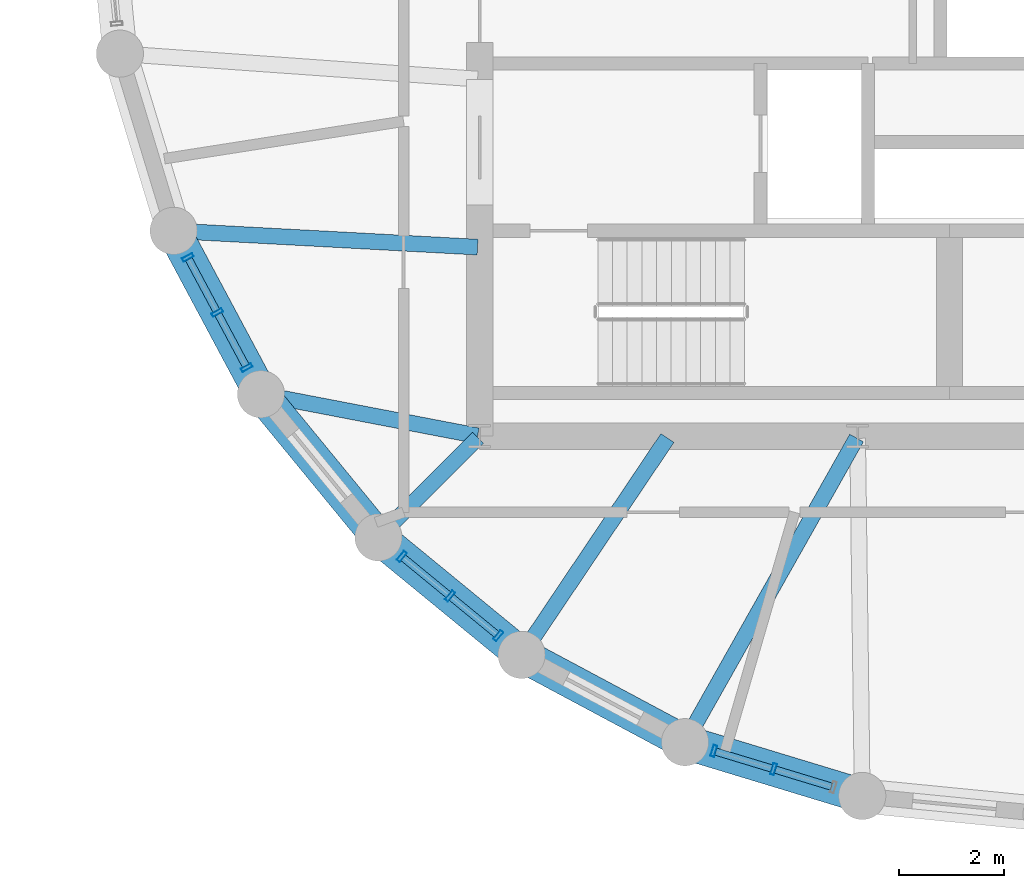
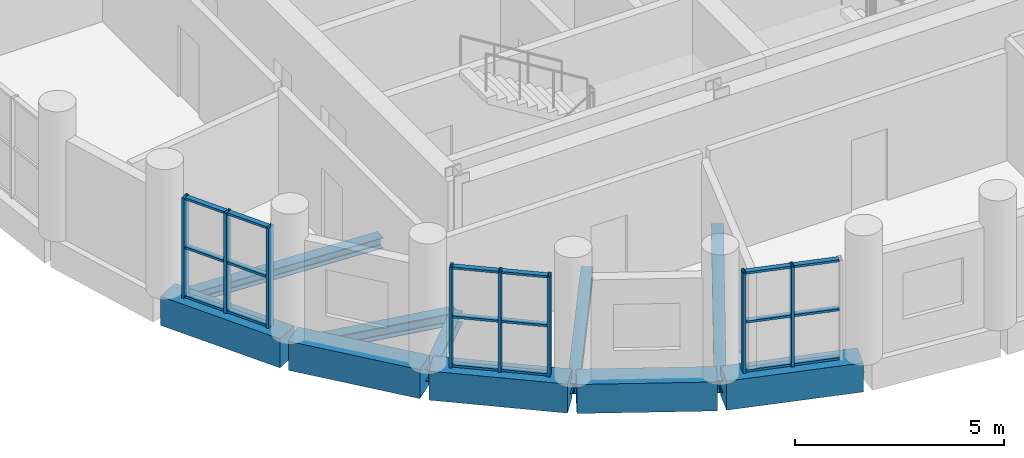
# One storey, part 2 of 15: 26 members, 10 beams, 3 elements without a shape of their own.
"""IFC4 building model written with IfcOpenShell, lengths in metres."""

from ifc_helpers import new_model, si_unit, direction, frame, origin, origin_2d, place, context, subcontext, project, spatial, rectangle, hollow_rectangle, i_section, extrude, material, layer, layer_set, material_profile, profile_set, type_object, element, aggregate, save


model = new_model("IFC4")

# Units and contexts
model_context = context("Model", 3, precision=1e-05, world=origin(), true_north=direction((0.0, 1.0)))
body_context = subcontext(model_context, "Body", "Model", "MODEL_VIEW")
ifc_project = project(units=[si_unit("LENGTHUNIT", "METRE"), si_unit("AREAUNIT", "SQUARE_METRE"), si_unit("VOLUMEUNIT", "CUBIC_METRE"), si_unit("PLANEANGLEUNIT", "RADIAN"), si_unit("MASSUNIT", "GRAM", prefix="KILO")], contexts=[model_context])

# Site, building, storey
site_placement = place(None, origin())
site = spatial("IfcSite", under=ifc_project, at=site_placement, CompositionType="ELEMENT")
building_placement = place(site_placement, origin())
building = spatial("IfcBuilding", under=site, at=building_placement, Name="Solnavia Interchange Tower", CompositionType="ELEMENT")
storey_placement = place(building_placement, frame((0.0, 0.0, 146.60009765625)))
storey = spatial("IfcBuildingStorey", under=building, at=storey_placement, Name="L36", CompositionType="ELEMENT", Elevation=146.60009765625)

# Beams
ifc_material_1 = material(Name="Steel S460", Category="steel")
ifc_material_profile_1 = material_profile(ifc_material_1, i_section(OverallWidth=0.300048828125, OverallDepth=0.360107421875, WebThickness=0.012451171875, FlangeThickness=0.0224609375, FilletRadius=0.027099609375, at=origin_2d()), Name="HEB 360")
ifc_profile_set_1 = profile_set([ifc_material_profile_1], Name="Steel S460")
beam_type_1 = type_object("IfcBeamType", Name="Beam-Girder-HEB360", PredefinedType="BEAM", material=ifc_profile_set_1)
beam_1_placement = place(storey_placement, frame((10.3125, 11.5849609375, -0.43017578125), z_axis=(0.982057527796, -0.188581579428, 0.0), x_axis=(0.188581579428, 0.982057527796, 0.0)))
element("IfcBeam", 1, at=beam_1_placement, inside=storey, type_object=beam_type_1, Name="GRD-L36-DR16 Drum radial floor girder", PredefinedType="BEAM", context=body_context, shape_type="SweptSolid", body=[
    extrude(i_section(OverallWidth=0.300048828125, OverallDepth=0.360107421875, WebThickness=0.012451171875, FlangeThickness=0.0224609375, FilletRadius=0.027099609375, at=origin_2d()), origin(), (0.0, 0.0, 1.0), 4.1220703125),
])
beam_2_placement = place(storey_placement, frame((18.351318359375, 5.039794921875, -0.43017578125), z_axis=(0.491243158486, 0.871022479182, 0.0), x_axis=(-0.871022479182, 0.491243158486, 0.0)))
element("IfcBeam", 2, at=beam_2_placement, inside=storey, type_object=beam_type_1, Name="GRD-L36-DR19 Drum radial floor girder", PredefinedType="BEAM", context=body_context, shape_type="SweptSolid", body=[
    extrude(i_section(OverallWidth=0.300048828125, OverallDepth=0.360107421875, WebThickness=0.012451171875, FlangeThickness=0.0224609375, FilletRadius=0.027099609375, at=origin_2d()), origin(), (0.0, 0.0, 1.0), 6.5732421875),
])
ifc_material_2 = material(Name="Steel S355", Category="steel")
ifc_material_profile_2 = material_profile(ifc_material_2, i_section(OverallWidth=0.300048828125, OverallDepth=0.31005859375, WebThickness=0.009033203125, FlangeThickness=0.015380859375, FilletRadius=0.027099609375, at=origin_2d()), Name="HEA 320")
ifc_profile_set_2 = profile_set([ifc_material_profile_2], Name="Steel S355")
beam_type_2 = type_object("IfcBeamType", Name="Beam-Primary-HEA320", PredefinedType="BEAM", material=ifc_profile_set_2)
beam_3_placement = place(storey_placement, frame((8.64990234375, 14.707763671875, -0.405029296875), z_axis=(0.998570371303, -0.053452909696, 0.0), x_axis=(0.053452909696, 0.998570371303, 0.0)))
element("IfcBeam", 3, at=beam_3_placement, inside=storey, type_object=beam_type_2, Name="GRD-L36-DR15 Drum radial floor girder", PredefinedType="BEAM", context=body_context, shape_type="SweptSolid", body=[
    extrude(i_section(OverallWidth=0.300048828125, OverallDepth=0.31005859375, WebThickness=0.009033203125, FlangeThickness=0.015380859375, FilletRadius=0.027099609375, at=origin_2d()), origin(), (0.0, 0.0, 1.0), 5.71826171875),
])
beam_4_placement = place(storey_placement, frame((15.24462890625, 6.700439453125, -0.405029296875), z_axis=(0.557835474219, 0.829951555033, 0.0), x_axis=(-0.829951555033, 0.557835474219, 0.0)))
element("IfcBeam", 4, at=beam_4_placement, inside=storey, type_object=beam_type_2, Name="GRD-L36-DR18 Drum radial floor girder", PredefinedType="BEAM", context=body_context, shape_type="SweptSolid", body=[
    extrude(i_section(OverallWidth=0.300048828125, OverallDepth=0.31005859375, WebThickness=0.009033203125, FlangeThickness=0.015380859375, FilletRadius=0.027099609375, at=origin_2d()), origin(), (0.0, 0.0, 1.0), 4.899658203125),
])
ifc_material_profile_3 = material_profile(ifc_material_2, i_section(OverallWidth=0.300048828125, OverallDepth=0.35009765625, WebThickness=0.010009765625, FlangeThickness=0.017578125, FilletRadius=0.027099609375, at=origin_2d()), Name="HEA 360")
ifc_profile_set_3 = profile_set([ifc_material_profile_3], Name="Steel S355")
beam_type_3 = type_object("IfcBeamType", Name="Beam-Primary-HEA360", PredefinedType="BEAM", material=ifc_profile_set_3)
beam_5_placement = place(storey_placement, frame((12.528564453125, 8.9287109375, -0.425048828125), z_axis=(0.707106781187, 0.707106781187, 0.0), x_axis=(-0.707106781187, 0.707106781187, 0.0)))
element("IfcBeam", 5, at=beam_5_placement, inside=storey, type_object=beam_type_3, Name="GRD-L36-DR17 Drum radial floor girder", PredefinedType="BEAM", context=body_context, shape_type="SweptSolid", body=[
    extrude(i_section(OverallWidth=0.300048828125, OverallDepth=0.35009765625, WebThickness=0.010009765625, FlangeThickness=0.017578125, FilletRadius=0.027099609375, at=origin_2d()), origin(), (0.0, 0.0, 1.0), 2.6064453125),
])
ifc_material_3 = material(Name="Concrete C50/60", Category="concrete")
ifc_material_profile_4 = material_profile(ifc_material_3, rectangle(XDim=0.64990234375, YDim=0.85009765625, at=origin_2d()), Name="RC 650x850")
ifc_profile_set_4 = profile_set([ifc_material_profile_4], Name="Concrete C50/60")
beam_type_4 = type_object("IfcBeamType", Name="Beam-Spandrel-RC650x850", PredefinedType="SPANDREL", material=ifc_profile_set_4)
beam_6_placement = place(storey_placement, frame((8.607666015625, 14.6416015625, -0.425048828125), z_axis=(0.471509422952, -0.881861023102, 0.0), x_axis=(0.881861023102, 0.471509422952, 0.0)))
element("IfcBeam", 6, at=beam_6_placement, inside=storey, type_object=beam_type_4, Name="SPB-L36-03 Framed-tube perimeter spandrel beam", PredefinedType="SPANDREL", context=body_context, shape_type="SweptSolid", body=[
    extrude(rectangle(XDim=0.64990234375, YDim=0.85009765625, at=origin_2d()), origin(), (0.0, 0.0, 1.0), 3.369140625),
])
for number, where, z_axis, x_axis, name in (
    (7, (10.28466796875, 11.5380859375, -0.425048828125), (0.634298841675, -0.773087950656, 0.0), (0.773087950656, 0.634298841675, 0.0), "SPB-L36-04 Framed-tube perimeter spandrel beam"),
    (8, (12.53369140625, 8.8212890625, -0.425048828125), (0.773152644452, -0.634219984214, 0.0), (0.634219984214, 0.773152644452, 0.0), "SPB-L36-05 Framed-tube perimeter spandrel beam"),
):
    element("IfcBeam", number, at=place(storey_placement, frame(where, z_axis=z_axis, x_axis=x_axis)), inside=storey, type_object=beam_type_4, Name=name, PredefinedType="SPANDREL", context=body_context, shape_type="SweptSolid", body=[
        extrude(rectangle(XDim=0.64990234375, YDim=0.85009765625, at=origin_2d()), origin(), (0.0, 0.0, 1.0), 3.36865234375),
    ])
beam_7_placement = place(storey_placement, frame((15.2705078125, 6.59619140625, -0.425048828125), z_axis=(0.881875044348, -0.47148319817, 0.0), x_axis=(0.47148319817, 0.881875044348, 0.0)))
element("IfcBeam", 9, at=beam_7_placement, inside=storey, type_object=beam_type_4, Name="SPB-L36-06 Framed-tube perimeter spandrel beam", PredefinedType="SPANDREL", context=body_context, shape_type="SweptSolid", body=[
    extrude(rectangle(XDim=0.64990234375, YDim=0.85009765625, at=origin_2d()), origin(), (0.0, 0.0, 1.0), 3.368896484375),
])
beam_8_placement = place(storey_placement, frame((18.388671875, 4.94677734375, -0.425048828125), z_axis=(0.956943884494, -0.290272978297, 0.0), x_axis=(0.290272978297, 0.956943884494, 0.0)))
element("IfcBeam", 10, at=beam_8_placement, inside=storey, type_object=beam_type_4, Name="SPB-L36-07 Framed-tube perimeter spandrel beam", PredefinedType="SPANDREL", context=body_context, shape_type="SweptSolid", body=[
    extrude(rectangle(XDim=0.64990234375, YDim=0.85009765625, at=origin_2d()), origin(), (0.0, 0.0, 1.0), 3.36767578125),
])

# Curtain wall, members
ifc_material_4 = material(Name="Aluminium Alloy 6063-T6", Category="aluminium")
ifc_layer = layer(ifc_material_4, 0.239990234375)
ifc_layer_set = layer_set([ifc_layer], Name="Aluminium Alloy 6063-T6")
curtain_wall_type = type_object("IfcCurtainWallType", Name="CurtainWall-Drum-CTW2", PredefinedType="NOTDEFINED", material=ifc_layer_set)
curtain_wall_1_placement = place(storey_placement, origin())
curtain_wall_1 = element("IfcCurtainWall", 11, at=curtain_wall_1_placement, inside=storey, type_object=curtain_wall_type, Name="CTW-L36-D53 CTW-2 curtain wall", PredefinedType="NOTDEFINED")
ifc_material_profile_5 = material_profile(ifc_material_4, hollow_rectangle(XDim=0.074951171875, YDim=0.219970703125, WallThickness=0.0048828125, at=origin_2d()), Name="ALU 220x75x5")
ifc_profile_set_5 = profile_set([ifc_material_profile_5], Name="Aluminium Alloy 6063-T6")
member_type_1 = type_object("IfcMemberType", Name="CW-Mullion-CWM-2", PredefinedType="MULLION", material=ifc_profile_set_5)
member_1_placement = place(storey_placement, frame((8.841064453125, 14.204833984375, 0.0), z_axis=(0.0, 0.0, 1.0), x_axis=(0.471560876964, -0.881833509976, 0.0)))
member_1 = element("IfcMember", 12, at=member_1_placement, type_object=member_type_1, Name="CTW-2 mullion 1", PredefinedType="MULLION", context=body_context, shape_type="SweptSolid", body=[
    extrude(hollow_rectangle(XDim=0.074951171875, YDim=0.219970703125, WallThickness=0.0048828125, at=origin_2d()), origin(), (0.0, 0.0, 1.0), 2.929931640625),
])
member_2_placement = place(storey_placement, frame((9.402099609375, 13.156005859375, 0.0), z_axis=(0.0, 0.0, 1.0), x_axis=(0.471560876964, -0.881833509976, 0.0)))
member_2 = element("IfcMember", 13, at=member_2_placement, type_object=member_type_1, Name="CTW-2 mullion 2", PredefinedType="MULLION", context=body_context, shape_type="SweptSolid", body=[
    extrude(hollow_rectangle(XDim=0.074951171875, YDim=0.219970703125, WallThickness=0.0048828125, at=origin_2d()), origin(), (0.0, 0.0, 1.0), 2.929931640625),
])
member_3_placement = place(storey_placement, frame((9.962890625, 12.107177734375, 0.0), z_axis=(0.0, 0.0, 1.0), x_axis=(0.471560876964, -0.881833509976, 0.0)))
member_3 = element("IfcMember", 14, at=member_3_placement, type_object=member_type_1, Name="CTW-2 mullion 3", PredefinedType="MULLION", context=body_context, shape_type="SweptSolid", body=[
    extrude(hollow_rectangle(XDim=0.074951171875, YDim=0.219970703125, WallThickness=0.0048828125, at=origin_2d()), origin(), (0.0, 0.0, 1.0), 2.929931640625),
])

curtain_wall_2_placement = place(storey_placement, origin())
curtain_wall_2 = element("IfcCurtainWall", 15, at=curtain_wall_2_placement, inside=storey, type_object=curtain_wall_type, Name="CTW-L36-D55 CTW-2 curtain wall", PredefinedType="NOTDEFINED")
member_4_placement = place(storey_placement, frame((12.91650390625, 8.50732421875, 0.0), z_axis=(0.0, 0.0, 1.0), x_axis=(0.773103093557, -0.634280384951, 0.0)))
member_4 = element("IfcMember", 16, at=member_4_placement, type_object=member_type_1, Name="CTW-2 mullion 1", PredefinedType="MULLION", context=body_context, shape_type="SweptSolid", body=[
    extrude(hollow_rectangle(XDim=0.074951171875, YDim=0.219970703125, WallThickness=0.0048828125, at=origin_2d()), origin(), (0.0, 0.0, 1.0), 2.929931640625),
])
member_5_placement = place(storey_placement, frame((13.8359375, 7.7529296875, 0.0), z_axis=(0.0, 0.0, 1.0), x_axis=(0.773103093557, -0.634280384951, 0.0)))
member_5 = element("IfcMember", 17, at=member_5_placement, type_object=member_type_1, Name="CTW-2 mullion 2", PredefinedType="MULLION", context=body_context, shape_type="SweptSolid", body=[
    extrude(hollow_rectangle(XDim=0.074951171875, YDim=0.219970703125, WallThickness=0.0048828125, at=origin_2d()), origin(), (0.0, 0.0, 1.0), 2.929931640625),
])
member_6_placement = place(storey_placement, frame((14.75537109375, 6.998779296875, 0.0), z_axis=(0.0, 0.0, 1.0), x_axis=(0.773103093557, -0.634280384951, 0.0)))
member_6 = element("IfcMember", 18, at=member_6_placement, type_object=member_type_1, Name="CTW-2 mullion 3", PredefinedType="MULLION", context=body_context, shape_type="SweptSolid", body=[
    extrude(hollow_rectangle(XDim=0.074951171875, YDim=0.219970703125, WallThickness=0.0048828125, at=origin_2d()), origin(), (0.0, 0.0, 1.0), 2.929931640625),
])

curtain_wall_3_placement = place(storey_placement, origin())
curtain_wall_3 = element("IfcCurtainWall", 19, at=curtain_wall_3_placement, inside=storey, type_object=curtain_wall_type, Name="CTW-L36-D57 CTW-2 curtain wall", PredefinedType="NOTDEFINED")
member_7_placement = place(storey_placement, frame((18.8623046875, 4.80322265625, 0.0), z_axis=(0.0, 0.0, 1.0), x_axis=(0.956942072515, -0.290278951786, 0.0)))
member_7 = element("IfcMember", 20, at=member_7_placement, type_object=member_type_1, Name="CTW-2 mullion 1", PredefinedType="MULLION", context=body_context, shape_type="SweptSolid", body=[
    extrude(hollow_rectangle(XDim=0.074951171875, YDim=0.219970703125, WallThickness=0.0048828125, at=origin_2d()), origin(), (0.0, 0.0, 1.0), 2.929931640625),
])
member_8_placement = place(storey_placement, frame((20.0, 4.4580078125, 0.0), z_axis=(0.0, 0.0, 1.0), x_axis=(0.956942072515, -0.290278951786, 0.0)))
member_8 = element("IfcMember", 21, at=member_8_placement, type_object=member_type_1, Name="CTW-2 mullion 2", PredefinedType="MULLION", context=body_context, shape_type="SweptSolid", body=[
    extrude(hollow_rectangle(XDim=0.074951171875, YDim=0.219970703125, WallThickness=0.0048828125, at=origin_2d()), origin(), (0.0, 0.0, 1.0), 2.929931640625),
])

# Member
ifc_material_profile_6 = material_profile(ifc_material_4, hollow_rectangle(XDim=0.06494140625, YDim=0.139892578125, WallThickness=0.00390625, at=origin_2d()), Name="ALU 140x65x4")
ifc_profile_set_6 = profile_set([ifc_material_profile_6], Name="Aluminium Alloy 6063-T6")
member_type_2 = type_object("IfcMemberType", Name="CW-Transom-CWT-2", PredefinedType="USERDEFINED", material=ifc_profile_set_6)
member_9_placement = place(storey_placement, frame((8.85888671875, 14.171875, 0.032470703125), z_axis=(0.471406647105, -0.881915967122, 0.0), x_axis=(0.0, 0.0, 1.0)))
member_9 = element("IfcMember", 22, at=member_9_placement, type_object=member_type_2, Name="CTW-2 transom 1.1", ObjectType="TRANSOM", PredefinedType="USERDEFINED", context=body_context, shape_type="SweptSolid", body=[
    extrude(hollow_rectangle(XDim=0.06494140625, YDim=0.139892578125, WallThickness=0.00390625, at=origin_2d()), origin(), (0.0, 0.0, 1.0), 1.114501953125),
])

member_10_placement = place(storey_placement, frame((8.85888671875, 14.171875, 1.46484375), z_axis=(0.471406647105, -0.881915967122, 0.0), x_axis=(0.0, 0.0, 1.0)))
member_10 = element("IfcMember", 23, at=member_10_placement, type_object=member_type_2, Name="CTW-2 transom 1.2", ObjectType="TRANSOM", PredefinedType="USERDEFINED", context=body_context, shape_type="SweptSolid", body=[
    extrude(hollow_rectangle(XDim=0.06494140625, YDim=0.139892578125, WallThickness=0.00390625, at=origin_2d()), origin(), (0.0, 0.0, 1.0), 1.114501953125),
])

member_11_placement = place(storey_placement, frame((8.85888671875, 14.171875, 2.8974609375), z_axis=(0.471406647105, -0.881915967122, 0.0), x_axis=(0.0, 0.0, 1.0)))
member_11 = element("IfcMember", 24, at=member_11_placement, type_object=member_type_2, Name="CTW-2 transom 1.3", ObjectType="TRANSOM", PredefinedType="USERDEFINED", context=body_context, shape_type="SweptSolid", body=[
    extrude(hollow_rectangle(XDim=0.06494140625, YDim=0.139892578125, WallThickness=0.00390625, at=origin_2d()), origin(), (0.0, 0.0, 1.0), 1.114501953125),
])

member_12_placement = place(storey_placement, frame((9.419677734375, 13.123046875, 0.032470703125), z_axis=(0.471576996491, -0.881824889862, 0.0), x_axis=(0.0, 0.0, 1.0)))
member_12 = element("IfcMember", 25, at=member_12_placement, type_object=member_type_2, Name="CTW-2 transom 2.1", ObjectType="TRANSOM", PredefinedType="USERDEFINED", context=body_context, shape_type="SweptSolid", body=[
    extrude(hollow_rectangle(XDim=0.06494140625, YDim=0.139892578125, WallThickness=0.00390625, at=origin_2d()), origin(), (0.0, 0.0, 1.0), 1.11474609375),
])

member_13_placement = place(storey_placement, frame((9.419677734375, 13.123046875, 1.46484375), z_axis=(0.471576996491, -0.881824889862, 0.0), x_axis=(0.0, 0.0, 1.0)))
member_13 = element("IfcMember", 26, at=member_13_placement, type_object=member_type_2, Name="CTW-2 transom 2.2", ObjectType="TRANSOM", PredefinedType="USERDEFINED", context=body_context, shape_type="SweptSolid", body=[
    extrude(hollow_rectangle(XDim=0.06494140625, YDim=0.139892578125, WallThickness=0.00390625, at=origin_2d()), origin(), (0.0, 0.0, 1.0), 1.11474609375),
])

member_14_placement = place(storey_placement, frame((9.419677734375, 13.123046875, 2.8974609375), z_axis=(0.471576996491, -0.881824889862, 0.0), x_axis=(0.0, 0.0, 1.0)))
member_14 = element("IfcMember", 27, at=member_14_placement, type_object=member_type_2, Name="CTW-2 transom 2.3", ObjectType="TRANSOM", PredefinedType="USERDEFINED", context=body_context, shape_type="SweptSolid", body=[
    extrude(hollow_rectangle(XDim=0.06494140625, YDim=0.139892578125, WallThickness=0.00390625, at=origin_2d()), origin(), (0.0, 0.0, 1.0), 1.11474609375),
])

aggregate(curtain_wall_1, [member_1, member_2, member_3, member_9, member_10, member_11, member_12, member_13, member_14])

member_15_placement = place(storey_placement, frame((12.945556640625, 8.483642578125, 0.032470703125), z_axis=(0.773136723636, -0.634239392158, 0.0), x_axis=(0.0, 0.0, 1.0)))
member_15 = element("IfcMember", 28, at=member_15_placement, type_object=member_type_2, Name="CTW-2 transom 1.1", ObjectType="TRANSOM", PredefinedType="USERDEFINED", context=body_context, shape_type="SweptSolid", body=[
    extrude(hollow_rectangle(XDim=0.06494140625, YDim=0.139892578125, WallThickness=0.00390625, at=origin_2d()), origin(), (0.0, 0.0, 1.0), 1.114501953125),
])

member_16_placement = place(storey_placement, frame((12.945556640625, 8.483642578125, 1.46484375), z_axis=(0.773136723636, -0.634239392158, 0.0), x_axis=(0.0, 0.0, 1.0)))
member_16 = element("IfcMember", 29, at=member_16_placement, type_object=member_type_2, Name="CTW-2 transom 1.2", ObjectType="TRANSOM", PredefinedType="USERDEFINED", context=body_context, shape_type="SweptSolid", body=[
    extrude(hollow_rectangle(XDim=0.06494140625, YDim=0.139892578125, WallThickness=0.00390625, at=origin_2d()), origin(), (0.0, 0.0, 1.0), 1.114501953125),
])

member_17_placement = place(storey_placement, frame((12.945556640625, 8.483642578125, 2.8974609375), z_axis=(0.773136723636, -0.634239392158, 0.0), x_axis=(0.0, 0.0, 1.0)))
member_17 = element("IfcMember", 30, at=member_17_placement, type_object=member_type_2, Name="CTW-2 transom 1.3", ObjectType="TRANSOM", PredefinedType="USERDEFINED", context=body_context, shape_type="SweptSolid", body=[
    extrude(hollow_rectangle(XDim=0.06494140625, YDim=0.139892578125, WallThickness=0.00390625, at=origin_2d()), origin(), (0.0, 0.0, 1.0), 1.114501953125),
])

member_18_placement = place(storey_placement, frame((13.864990234375, 7.729248046875, 0.032470703125), z_axis=(0.773048573819, -0.634346831407, 0.0), x_axis=(0.0, 0.0, 1.0)))
member_18 = element("IfcMember", 31, at=member_18_placement, type_object=member_type_2, Name="CTW-2 transom 2.1", ObjectType="TRANSOM", PredefinedType="USERDEFINED", context=body_context, shape_type="SweptSolid", body=[
    extrude(hollow_rectangle(XDim=0.06494140625, YDim=0.139892578125, WallThickness=0.00390625, at=origin_2d()), origin(), (0.0, 0.0, 1.0), 1.1142578125),
])

member_19_placement = place(storey_placement, frame((13.864990234375, 7.729248046875, 1.46484375), z_axis=(0.773048573819, -0.634346831407, 0.0), x_axis=(0.0, 0.0, 1.0)))
member_19 = element("IfcMember", 32, at=member_19_placement, type_object=member_type_2, Name="CTW-2 transom 2.2", ObjectType="TRANSOM", PredefinedType="USERDEFINED", context=body_context, shape_type="SweptSolid", body=[
    extrude(hollow_rectangle(XDim=0.06494140625, YDim=0.139892578125, WallThickness=0.00390625, at=origin_2d()), origin(), (0.0, 0.0, 1.0), 1.1142578125),
])

member_20_placement = place(storey_placement, frame((13.864990234375, 7.729248046875, 2.8974609375), z_axis=(0.773048573819, -0.634346831407, 0.0), x_axis=(0.0, 0.0, 1.0)))
member_20 = element("IfcMember", 33, at=member_20_placement, type_object=member_type_2, Name="CTW-2 transom 2.3", ObjectType="TRANSOM", PredefinedType="USERDEFINED", context=body_context, shape_type="SweptSolid", body=[
    extrude(hollow_rectangle(XDim=0.06494140625, YDim=0.139892578125, WallThickness=0.00390625, at=origin_2d()), origin(), (0.0, 0.0, 1.0), 1.1142578125),
])

aggregate(curtain_wall_2, [member_4, member_5, member_6, member_15, member_16, member_17, member_18, member_19, member_20])

member_21_placement = place(storey_placement, frame((18.898193359375, 4.792236328125, 0.032470703125), z_axis=(0.956965394332, -0.290202057283, 0.0), x_axis=(0.0, 0.0, 1.0)))
member_21 = element("IfcMember", 34, at=member_21_placement, type_object=member_type_2, Name="CTW-2 transom 1.1", ObjectType="TRANSOM", PredefinedType="USERDEFINED", context=body_context, shape_type="SweptSolid", body=[
    extrude(hollow_rectangle(XDim=0.06494140625, YDim=0.139892578125, WallThickness=0.00390625, at=origin_2d()), origin(), (0.0, 0.0, 1.0), 1.11376953125),
])

member_22_placement = place(storey_placement, frame((18.898193359375, 4.792236328125, 1.46484375), z_axis=(0.956965394332, -0.290202057283, 0.0), x_axis=(0.0, 0.0, 1.0)))
member_22 = element("IfcMember", 35, at=member_22_placement, type_object=member_type_2, Name="CTW-2 transom 1.2", ObjectType="TRANSOM", PredefinedType="USERDEFINED", context=body_context, shape_type="SweptSolid", body=[
    extrude(hollow_rectangle(XDim=0.06494140625, YDim=0.139892578125, WallThickness=0.00390625, at=origin_2d()), origin(), (0.0, 0.0, 1.0), 1.11376953125),
])

member_23_placement = place(storey_placement, frame((18.898193359375, 4.792236328125, 2.8974609375), z_axis=(0.956965394332, -0.290202057283, 0.0), x_axis=(0.0, 0.0, 1.0)))
member_23 = element("IfcMember", 36, at=member_23_placement, type_object=member_type_2, Name="CTW-2 transom 1.3", ObjectType="TRANSOM", PredefinedType="USERDEFINED", context=body_context, shape_type="SweptSolid", body=[
    extrude(hollow_rectangle(XDim=0.06494140625, YDim=0.139892578125, WallThickness=0.00390625, at=origin_2d()), origin(), (0.0, 0.0, 1.0), 1.11376953125),
])

member_24_placement = place(storey_placement, frame((20.035888671875, 4.447021484375, 0.032470703125), z_axis=(0.956965394332, -0.290202057283, 0.0), x_axis=(0.0, 0.0, 1.0)))
member_24 = element("IfcMember", 37, at=member_24_placement, type_object=member_type_2, Name="CTW-2 transom 2.1", ObjectType="TRANSOM", PredefinedType="USERDEFINED", context=body_context, shape_type="SweptSolid", body=[
    extrude(hollow_rectangle(XDim=0.06494140625, YDim=0.139892578125, WallThickness=0.00390625, at=origin_2d()), origin(), (0.0, 0.0, 1.0), 1.11376953125),
])

member_25_placement = place(storey_placement, frame((20.035888671875, 4.447021484375, 1.46484375), z_axis=(0.956965394332, -0.290202057283, 0.0), x_axis=(0.0, 0.0, 1.0)))
member_25 = element("IfcMember", 38, at=member_25_placement, type_object=member_type_2, Name="CTW-2 transom 2.2", ObjectType="TRANSOM", PredefinedType="USERDEFINED", context=body_context, shape_type="SweptSolid", body=[
    extrude(hollow_rectangle(XDim=0.06494140625, YDim=0.139892578125, WallThickness=0.00390625, at=origin_2d()), origin(), (0.0, 0.0, 1.0), 1.11376953125),
])

member_26_placement = place(storey_placement, frame((20.035888671875, 4.447021484375, 2.8974609375), z_axis=(0.956965394332, -0.290202057283, 0.0), x_axis=(0.0, 0.0, 1.0)))
member_26 = element("IfcMember", 39, at=member_26_placement, type_object=member_type_2, Name="CTW-2 transom 2.3", ObjectType="TRANSOM", PredefinedType="USERDEFINED", context=body_context, shape_type="SweptSolid", body=[
    extrude(hollow_rectangle(XDim=0.06494140625, YDim=0.139892578125, WallThickness=0.00390625, at=origin_2d()), origin(), (0.0, 0.0, 1.0), 1.11376953125),
])

aggregate(curtain_wall_3, [member_7, member_8, member_21, member_22, member_23, member_24, member_25, member_26])

save(model, "model.ifc")
